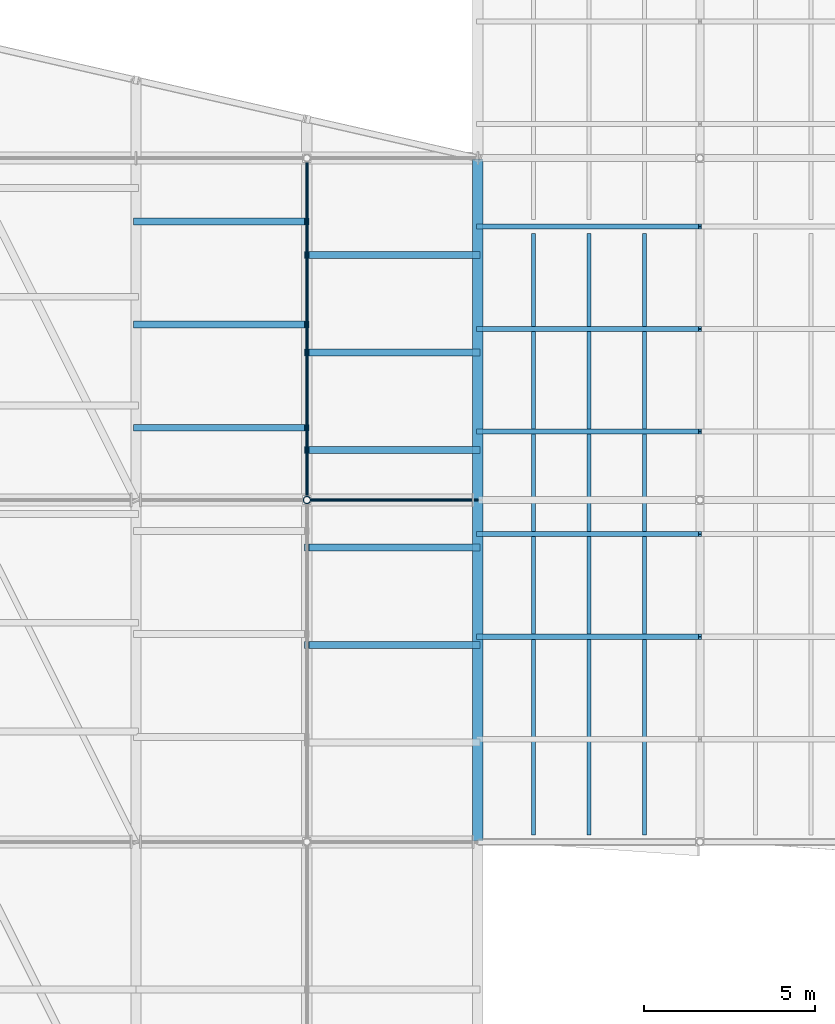
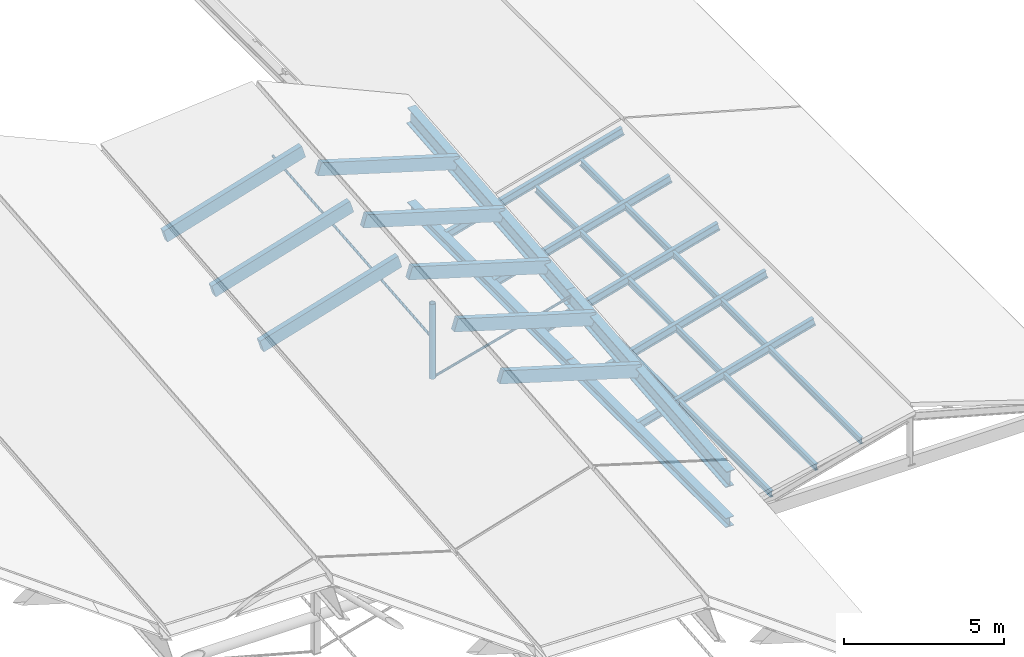
# One storey, part 54 of 90: 19 members, 4 beams.
"""IFC4 building model written with IfcOpenShell, lengths in metres."""

from ifc_helpers import new_model, si_unit, direction, frame, origin, origin_2d, place, context, subcontext, project, spatial, rectangle, circle, hollow_circle, i_section, extrude, material, material_profile, profile_set, type_object, element, save


model = new_model("IFC4")

# Units and contexts
model_context = context("Model", 3, precision=1e-05, world=origin(), true_north=direction((0.0, 1.0)))
body_context = subcontext(model_context, "Body", "Model", "MODEL_VIEW")
ifc_project = project(units=[si_unit("LENGTHUNIT", "METRE"), si_unit("AREAUNIT", "SQUARE_METRE"), si_unit("VOLUMEUNIT", "CUBIC_METRE"), si_unit("PLANEANGLEUNIT", "RADIAN"), si_unit("MASSUNIT", "GRAM", prefix="KILO"), si_unit("THERMODYNAMICTEMPERATUREUNIT", "KELVIN"), si_unit("POWERUNIT", "WATT")], contexts=[model_context])

# Site, building, storey
site_placement = place(None, origin())
site = spatial("IfcSite", under=ifc_project, at=site_placement, CompositionType="ELEMENT")
building_placement = place(site_placement, origin())
building = spatial("IfcBuilding", under=site, at=building_placement, Name="Korenveer Ferry Terminal", CompositionType="ELEMENT")
storey_placement = place(building_placement, frame((0.0, 0.0, 22.199951171875)))
storey = spatial("IfcBuildingStorey", under=building, at=storey_placement, Name="RF", CompositionType="ELEMENT", Elevation=22.199951171875)

# Beams
ifc_material_1 = material(Name="Steel S355", Category="steel")
ifc_material_profile_1 = material_profile(ifc_material_1, i_section(OverallWidth=0.300048828125, OverallDepth=0.360107421875, WebThickness=0.012451171875, FlangeThickness=0.0224609375, FilletRadius=0.027099609375, at=origin_2d()), Name="HEB 360")
ifc_profile_set_1 = profile_set([ifc_material_profile_1], Name="Steel S355")
beam_type_1 = type_object("IfcBeamType", Name="STR-BM-HEB360", PredefinedType="BEAM", material=ifc_profile_set_1)
for number, where, z_axis, x_axis, name in (
    (1, (123.0, 80.02001953125, -7.619873046875), (0.0, 1.0, 0.0), (-1.0, 0.0, 0.0), "Wing eave beam PIERE 205"),
    (2, (123.0, 90.02001953125, -7.619873046875), (0.0, 1.0, 0.0), (-1.0, 0.0, 0.0), "Wing eave beam PIERE 206"),
):
    element("IfcBeam", number, at=place(storey_placement, frame(where, z_axis=z_axis, x_axis=x_axis)), inside=storey, type_object=beam_type_1, Name=name, PredefinedType="BEAM", context=body_context, shape_type="SweptSolid", body=[
        extrude(i_section(OverallWidth=0.300048828125, OverallDepth=0.360107421875, WebThickness=0.012451171875, FlangeThickness=0.0224609375, FilletRadius=0.027099609375, at=origin_2d()), origin(), (0.0, 0.0, 1.0), 9.9599609375),
    ])
ifc_material_profile_2 = material_profile(ifc_material_1, i_section(OverallWidth=0.300048828125, OverallDepth=0.64990234375, WebThickness=0.01611328125, FlangeThickness=0.031005859375, FilletRadius=0.027099609375, at=origin_2d()), Name="HEB 650")
ifc_profile_set_2 = profile_set([ifc_material_profile_2], Name="Steel S355")
beam_type_2 = type_object("IfcBeamType", Name="STR-BM-HEB650", PredefinedType="BEAM", material=ifc_profile_set_2)
for number, where, z_axis, x_axis, name in (
    (3, (123.0, 80.0, -5.95361328125), (0.0, 0.995903364261, 0.090423940715), (-1.0, 0.0, 0.0), "Folded roof valley girder 59"),
    (4, (123.0, 90.0, -5.045654296875), (0.0, 0.995903364261, 0.090423940715), (-1.0, 0.0, 0.0), "Folded roof valley girder 60"),
):
    element("IfcBeam", number, at=place(storey_placement, frame(where, z_axis=z_axis, x_axis=x_axis)), inside=storey, type_object=beam_type_2, Name=name, PredefinedType="BEAM", context=body_context, shape_type="SweptSolid", body=[
        extrude(i_section(OverallWidth=0.300048828125, OverallDepth=0.64990234375, WebThickness=0.01611328125, FlangeThickness=0.031005859375, FilletRadius=0.027099609375, at=origin_2d()), origin(), (0.0, 0.0, 1.0), 10.041015625),
    ])

# Members
ifc_material_2 = material(Name="High-strength steel S460", Category="steel")
ifc_material_profile_3 = material_profile(ifc_material_2, circle(Radius=0.044921875, at=origin_2d()), Name="ROD D90")
ifc_profile_set_3 = profile_set([ifc_material_profile_3], Name="High-strength steel S460")
member_type_1 = type_object("IfcMemberType", Name="STR-CBL-D90", PredefinedType="USERDEFINED", material=ifc_profile_set_3)
member_1_placement = place(storey_placement, frame((123.0, 90.0, -5.045654296875), z_axis=(-0.965424337217, 0.0, -0.260683426993), x_axis=(0.0, -1.0, 0.0)))
element("IfcMember", 5, at=member_1_placement, inside=storey, type_object=member_type_1, Name="Roof tension tie cable 84", ObjectType="CABLE", PredefinedType="USERDEFINED", context=body_context, shape_type="SweptSolid", body=[
    extrude(circle(Radius=0.044921875, at=origin_2d()), origin(), (0.0, 0.0, 1.0), 5.178955078125),
])
member_2_placement = place(storey_placement, frame((118.0, 90.0, -4.885986328125), z_axis=(0.0, 0.995903364261, 0.090423940715), x_axis=(-1.0, 0.0, 0.0)))
element("IfcMember", 6, at=member_2_placement, inside=storey, type_object=member_type_1, Name="Longitudinal jaw-stay cable 133", ObjectType="CABLE", PredefinedType="USERDEFINED", context=body_context, shape_type="SweptSolid", body=[
    extrude(circle(Radius=0.044921875, at=origin_2d()), origin(), (0.0, 0.0, 1.0), 10.041015625),
])
ifc_material_3 = material(Name="Glulam GL28h", Category="wood")
ifc_material_profile_4 = material_profile(ifc_material_3, rectangle(XDim=0.199951171875, YDim=0.47998046875, at=origin_2d()), Name="GL 200x480")
ifc_profile_set_4 = profile_set([ifc_material_profile_4], Name="Glulam GL28h")
member_type_2 = type_object("IfcMemberType", Name="STR-PUR-GL200", PredefinedType="PURLIN", material=ifc_profile_set_4)
for number, where, z_axis, x_axis, name in (
    (7, (113.0, 92.113525390625, -4.6953125), (0.957323074362, 0.0, 0.289019949647), (0.0, 1.0, 0.0), "Folded roof glulam purlin 244"),
    (8, (113.0, 95.12939453125, -4.421630859375), (0.957310140112, 0.0, 0.289062788401), (0.0, 1.0, 0.0), "Folded roof glulam purlin 245"),
    (9, (113.0, 98.145263671875, -4.147705078125), (0.957310140112, 0.0, 0.289062788401), (0.0, 1.0, 0.0), "Folded roof glulam purlin 246"),
    (10, (118.0, 85.755126953125, -3.762939453125), (0.957310140112, 0.0, -0.289062788401), (0.0, 1.0, 0.0), "Folded roof glulam purlin 248"),
    (11, (118.0, 88.60791015625, -3.504150390625), (0.957323074362, 0.0, -0.289019949647), (0.0, 1.0, 0.0), "Folded roof glulam purlin 249"),
    (12, (118.0, 91.46044921875, -3.2451171875), (0.957323074362, 0.0, -0.289019949647), (0.0, 1.0, 0.0), "Folded roof glulam purlin 250"),
    (13, (118.0, 94.31298828125, -2.986083984375), (0.957323074362, 0.0, -0.289019949647), (0.0, 1.0, 0.0), "Folded roof glulam purlin 251"),
    (14, (118.0, 97.165771484375, -2.72705078125), (0.957310140112, 0.0, -0.289062788401), (0.0, 1.0, 0.0), "Folded roof glulam purlin 252"),
):
    element("IfcMember", number, at=place(storey_placement, frame(where, z_axis=z_axis, x_axis=x_axis)), inside=storey, type_object=member_type_2, Name=name, PredefinedType="PURLIN", context=body_context, shape_type="SweptSolid", body=[
        extrude(rectangle(XDim=0.199951171875, YDim=0.47998046875, at=origin_2d()), origin(), (0.0, 0.0, 1.0), 5.222900390625),
    ])
ifc_material_profile_5 = material_profile(ifc_material_1, i_section(OverallWidth=0.1201171875, OverallDepth=0.239990234375, WebThickness=0.006103515625, FlangeThickness=0.009765625, FilletRadius=0.014892578125, at=origin_2d()), Name="IPE 240")
ifc_profile_set_5 = profile_set([ifc_material_profile_5], Name="Steel S355")
member_type_3 = type_object("IfcMemberType", Name="STR-PUR-IPE240", PredefinedType="PURLIN", material=ifc_profile_set_5)
for number, where, z_axis, x_axis, name in (
    (15, (124.625, 80.199951171875, -7.22998046875), (0.0, 1.0, 0.0), (-1.0, 0.0, 0.0), "Pitched wing roof steel purlin 313"),
    (16, (126.25, 80.199951171875, -6.780029296875), (0.0, 1.0, 0.0), (-1.0, 0.0, 0.0), "Pitched wing roof steel purlin 315"),
    (17, (127.875, 80.199951171875, -6.329833984375), (0.0, 1.0, 0.0), (-1.0, 0.0, 0.0), "Pitched wing roof steel purlin 317"),
):
    element("IfcMember", number, at=place(storey_placement, frame(where, z_axis=z_axis, x_axis=x_axis)), inside=storey, type_object=member_type_3, Name=name, PredefinedType="PURLIN", context=body_context, shape_type="SweptSolid", body=[
        extrude(i_section(OverallWidth=0.1201171875, OverallDepth=0.239990234375, WebThickness=0.006103515625, FlangeThickness=0.009765625, FilletRadius=0.014892578125, at=origin_2d()), origin(), (0.0, 0.0, 1.0), 17.60009765625),
    ])
ifc_material_profile_6 = material_profile(ifc_material_1, i_section(OverallWidth=0.14990234375, OverallDepth=0.300048828125, WebThickness=0.007080078125, FlangeThickness=0.0107421875, FilletRadius=0.014892578125, at=origin_2d()), Name="IPE 300")
ifc_profile_set_6 = profile_set([ifc_material_profile_6], Name="Steel S355")
member_type_4 = type_object("IfcMemberType", Name="STR-RAF-IPE300", PredefinedType="RAFTER", material=ifc_profile_set_6)
for number, where, z_axis, x_axis, name in (
    (18, (123.0, 86.0, -7.619873046875), (0.963737469599, 0.0, 0.26685218697), (0.0, 1.0, 0.0), "Pitched roof rafter 159"),
    (19, (123.0, 89.0, -7.619873046875), (0.963737469599, 0.0, 0.26685218697), (0.0, 1.0, 0.0), "Pitched roof rafter 161"),
    (20, (123.0, 92.0, -7.619873046875), (0.963737469599, 0.0, 0.26685218697), (0.0, 1.0, 0.0), "Pitched roof rafter 163"),
    (21, (123.0, 95.0, -7.619873046875), (0.963737469599, 0.0, 0.26685218697), (0.0, 1.0, 0.0), "Pitched roof rafter 165"),
    (22, (123.0, 98.0, -7.619873046875), (0.963737469599, 0.0, 0.26685218697), (0.0, 1.0, 0.0), "Pitched roof rafter 167"),
):
    element("IfcMember", number, at=place(storey_placement, frame(where, z_axis=z_axis, x_axis=x_axis)), inside=storey, type_object=member_type_4, Name=name, PredefinedType="RAFTER", context=body_context, shape_type="SweptSolid", body=[
        extrude(i_section(OverallWidth=0.14990234375, OverallDepth=0.300048828125, WebThickness=0.007080078125, FlangeThickness=0.0107421875, FilletRadius=0.014892578125, at=origin_2d()), origin(), (0.0, 0.0, 1.0), 6.74462890625),
    ])
ifc_material_profile_7 = material_profile(ifc_material_1, hollow_circle(Radius=0.109619140625, WallThickness=0.012451171875, at=origin_2d()), Name="CHS 219.1x12.5")
ifc_profile_set_7 = profile_set([ifc_material_profile_7], Name="Steel S355")
member_type_5 = type_object("IfcMemberType", Name="STR-STT-CHS219", PredefinedType="STRUT", material=ifc_profile_set_7)
member_3_placement = place(storey_placement, frame((118.0, 90.0, -6.395751953125), z_axis=(0.0, 0.0, 1.0), x_axis=(1.0, 0.0, 0.0)))
element("IfcMember", 23, at=member_3_placement, inside=storey, type_object=member_type_5, Name="Roof king-post strut STTKP-Y90-B6", PredefinedType="STRUT", context=body_context, shape_type="SweptSolid", body=[
    extrude(hollow_circle(Radius=0.109619140625, WallThickness=0.012451171875, at=origin_2d()), origin(), (0.0, 0.0, 1.0), 2.85986328125),
])

save(model, "model.ifc")
